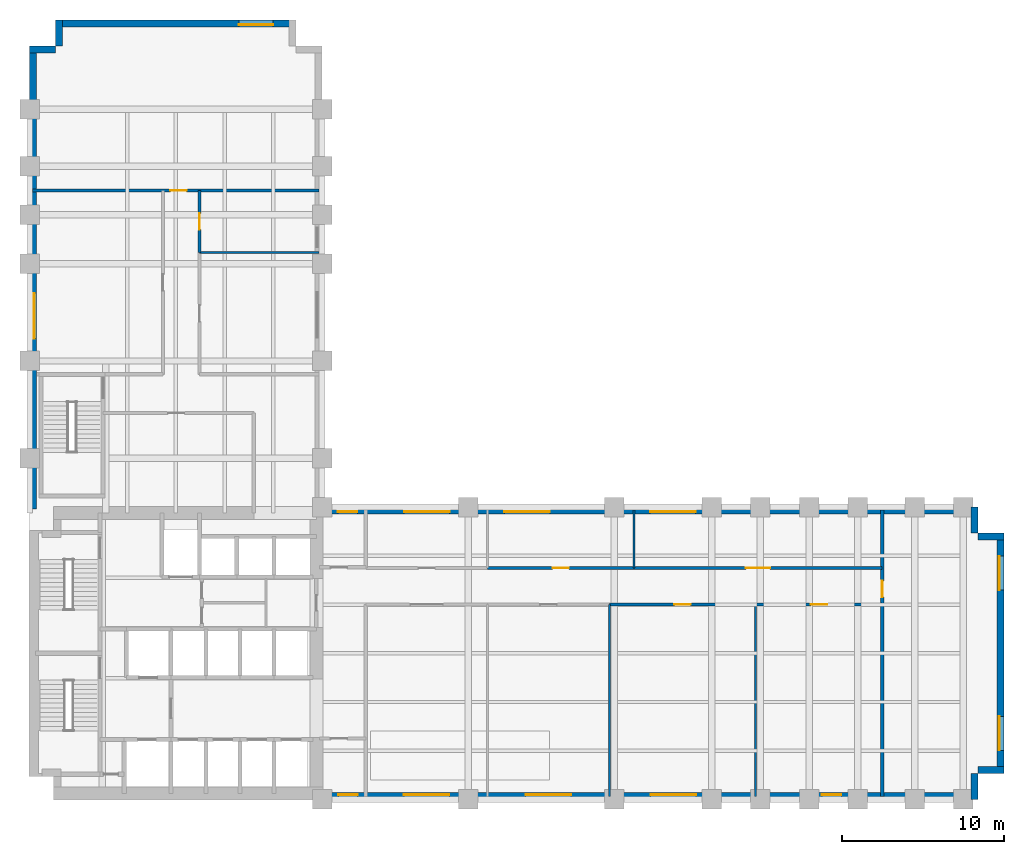
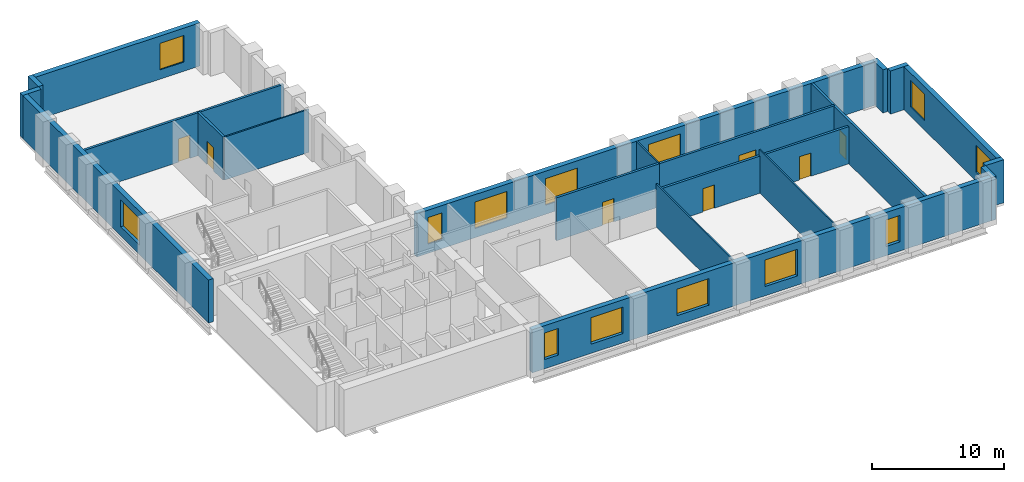
# One storey, part 5 of 7: 22 walls, 13 windows, 7 doors, 20 openings.
"""IFC4 building model written with IfcOpenShell, lengths in metres."""

from ifc_helpers import new_model, si_unit, direction, frame, frame_2d, origin, place, context, subcontext, project, spatial, rectangle, extrude, material, layer, layer_set, type_object, element, fill, save


model = new_model("IFC4")

# Units and contexts
model_context = context("Model", 3, precision=1e-05, world=origin(), true_north=direction((0.0, 1.0)))
body_context = subcontext(model_context, "Body", "Model", "MODEL_VIEW")
ifc_project = project(units=[si_unit("LENGTHUNIT", "METRE"), si_unit("AREAUNIT", "SQUARE_METRE"), si_unit("VOLUMEUNIT", "CUBIC_METRE"), si_unit("PLANEANGLEUNIT", "RADIAN"), si_unit("MASSUNIT", "GRAM", prefix="KILO")], contexts=[model_context])

# Site, building, storey
site_placement = place(None, origin())
site = spatial("IfcSite", under=ifc_project, at=site_placement, CompositionType="ELEMENT")
building_placement = place(site_placement, origin())
building = spatial("IfcBuilding", under=site, at=building_placement, Name="Mawjdan Bourse Tower", CompositionType="ELEMENT")
storey_placement = place(building_placement, frame((0.0, 0.0, 67.800048828125)))
storey = spatial("IfcBuildingStorey", under=building, at=storey_placement, Name="L15", CompositionType="ELEMENT", Elevation=67.800048828125)

# Wall, openings, windows
ifc_material_1 = material(Name="Brick Masonry Buff", Category="masonry")
ifc_layer_1 = layer(ifc_material_1, 0.419921875)
ifc_layer_set_1 = layer_set([ifc_layer_1], Name="Brick Masonry Buff")
wall_type_1 = type_object("IfcWallType", Name="WL-BRK-BUFF-420", PredefinedType="STANDARD", material=ifc_layer_set_1)
wall_1_placement = place(storey_placement, frame((23.89990234375, 3.2099609375, 0.0), z_axis=(0.0, 0.0, 1.0), x_axis=(1.0, 0.0, 0.0)))
wall_1 = element("IfcWall", 1, at=wall_1_placement, inside=storey, type_object=wall_type_1, Name="L15 Exterior Brick Wall 1", PredefinedType="STANDARD", context=body_context, shape_type="SweptSolid", body=[
    extrude(rectangle(XDim=40.5, YDim=0.419921875, at=frame_2d((20.25, 0.0))), origin(), (0.0, 0.0, 1.0), 3.97998046875),
])
opening_1_placement = place(wall_1_placement, frame((1.10009765625, 0.0, 0.85009765625)))
opening_1 = element("IfcOpeningElement", 2, at=opening_1_placement, cuts=wall_1, Name="Opening W-L15-07", PredefinedType="OPENING", context=body_context, shape_type="SweptSolid", body=[
    extrude(rectangle(XDim=1.199951171875, YDim=2.449951171875, at=frame_2d((0.60009765625, 1.22509765625))), frame((0.0, 0.219970703125, 0.0), z_axis=(0.0, -1.0, 0.0), x_axis=(1.0, 0.0, 0.0)), (0.0, 0.0, 1.0), 0.43994140625),
])
opening_2_placement = place(wall_1_placement, frame((5.13623046875, 0.0, 0.85009765625)))
opening_2 = element("IfcOpeningElement", 3, at=opening_2_placement, cuts=wall_1, Name="Opening W-L15-09", PredefinedType="OPENING", context=body_context, shape_type="SweptSolid", body=[
    extrude(rectangle(XDim=2.800048828125, YDim=2.449951171875, at=frame_2d((1.39990234375, 1.22509765625))), frame((0.0, 0.219970703125, 0.0), z_axis=(0.0, -1.0, 0.0), x_axis=(1.0, 0.0, 0.0)), (0.0, 0.0, 1.0), 0.43994140625),
])
opening_3_placement = place(wall_1_placement, frame((12.63623046875, 0.0, 0.85009765625)))
opening_3 = element("IfcOpeningElement", 4, at=opening_3_placement, cuts=wall_1, Name="Opening W-L15-10", PredefinedType="OPENING", context=body_context, shape_type="SweptSolid", body=[
    extrude(rectangle(XDim=2.800048828125, YDim=2.449951171875, at=frame_2d((1.39990234375, 1.22509765625))), frame((0.0, 0.219970703125, 0.0), z_axis=(0.0, -1.0, 0.0), x_axis=(1.0, 0.0, 0.0)), (0.0, 0.0, 1.0), 0.43994140625),
])
opening_4_placement = place(wall_1_placement, frame((20.336181640625, 0.0, 0.85009765625)))
opening_4 = element("IfcOpeningElement", 5, at=opening_4_placement, cuts=wall_1, Name="Opening W-L15-11", PredefinedType="OPENING", context=body_context, shape_type="SweptSolid", body=[
    extrude(rectangle(XDim=2.800048828125, YDim=2.449951171875, at=frame_2d((1.39990234375, 1.22509765625))), frame((0.0, 0.219970703125, 0.0), z_axis=(0.0, -1.0, 0.0), x_axis=(1.0, 0.0, 0.0)), (0.0, 0.0, 1.0), 0.43994140625),
])
opening_5_placement = place(wall_1_placement, frame((30.88623046875, 0.0, 0.85009765625)))
opening_5 = element("IfcOpeningElement", 6, at=opening_5_placement, cuts=wall_1, Name="Opening W-L15-12", PredefinedType="OPENING", context=body_context, shape_type="SweptSolid", body=[
    extrude(rectangle(XDim=1.199951171875, YDim=2.449951171875, at=frame_2d((0.60009765625, 1.22509765625))), frame((0.0, 0.219970703125, 0.0), z_axis=(0.0, -1.0, 0.0), x_axis=(1.0, 0.0, 0.0)), (0.0, 0.0, 1.0), 0.43994140625),
])
ifc_material_2 = material(Name="Solar-Control Clear Double Glazing", Category="glass")
window_type_1 = type_object("IfcWindowType", Name="WN-TRD-1200", PartitioningType="SINGLE_PANEL", PredefinedType="WINDOW", material=ifc_material_2)
window_1_placement = place(opening_1_placement, origin())
window_1 = element("IfcWindow", 7, at=window_1_placement, inside=storey, type_object=window_type_1, Name="L15 Deep-Set Masonry Window W-L15-07", OverallHeight=2.449951171875, OverallWidth=1.199951171875, PartitioningType="SINGLE_PANEL", PredefinedType="WINDOW", context=body_context, shape_type="SweptSolid", body=[
    extrude(rectangle(XDim=1.199951171875, YDim=2.449951171875, at=frame_2d((0.60009765625, 1.22509765625))), frame((0.0, 0.110107421875, 0.0), z_axis=(0.0, -1.0, 0.0), x_axis=(1.0, 0.0, 0.0)), (0.0, 0.0, 1.0), 0.06005859375),
])
fill(opening_1, window_1)
window_2_placement = place(opening_5_placement, origin())
window_2 = element("IfcWindow", 8, at=window_2_placement, inside=storey, type_object=window_type_1, Name="L15 Deep-Set Masonry Window W-L15-12", OverallHeight=2.449951171875, OverallWidth=1.199951171875, PartitioningType="SINGLE_PANEL", PredefinedType="WINDOW", context=body_context, shape_type="SweptSolid", body=[
    extrude(rectangle(XDim=1.199951171875, YDim=2.449951171875, at=frame_2d((0.60009765625, 1.22509765625))), frame((0.0, 0.110107421875, 0.0), z_axis=(0.0, -1.0, 0.0), x_axis=(1.0, 0.0, 0.0)), (0.0, 0.0, 1.0), 0.06005859375),
])
fill(opening_5, window_2)
window_type_2 = type_object("IfcWindowType", Name="WN-TRD-2800", PartitioningType="SINGLE_PANEL", PredefinedType="WINDOW", material=ifc_material_2)
window_3_placement = place(opening_2_placement, origin())
window_3 = element("IfcWindow", 9, at=window_3_placement, inside=storey, type_object=window_type_2, Name="L15 Deep-Set Masonry Window W-L15-09", OverallHeight=2.449951171875, OverallWidth=2.800048828125, PartitioningType="SINGLE_PANEL", PredefinedType="WINDOW", context=body_context, shape_type="SweptSolid", body=[
    extrude(rectangle(XDim=2.800048828125, YDim=2.449951171875, at=frame_2d((1.39990234375, 1.22509765625))), frame((0.0, 0.110107421875, 0.0), z_axis=(0.0, -1.0, 0.0), x_axis=(1.0, 0.0, 0.0)), (0.0, 0.0, 1.0), 0.06005859375),
])
fill(opening_2, window_3)
window_4_placement = place(opening_3_placement, origin())
window_4 = element("IfcWindow", 10, at=window_4_placement, inside=storey, type_object=window_type_2, Name="L15 Deep-Set Masonry Window W-L15-10", OverallHeight=2.449951171875, OverallWidth=2.800048828125, PartitioningType="SINGLE_PANEL", PredefinedType="WINDOW", context=body_context, shape_type="SweptSolid", body=[
    extrude(rectangle(XDim=2.800048828125, YDim=2.449951171875, at=frame_2d((1.39990234375, 1.22509765625))), frame((0.0, 0.110107421875, 0.0), z_axis=(0.0, -1.0, 0.0), x_axis=(1.0, 0.0, 0.0)), (0.0, 0.0, 1.0), 0.06005859375),
])
fill(opening_3, window_4)
window_5_placement = place(opening_4_placement, origin())
window_5 = element("IfcWindow", 11, at=window_5_placement, inside=storey, type_object=window_type_2, Name="L15 Deep-Set Masonry Window W-L15-11", OverallHeight=2.449951171875, OverallWidth=2.800048828125, PartitioningType="SINGLE_PANEL", PredefinedType="WINDOW", context=body_context, shape_type="SweptSolid", body=[
    extrude(rectangle(XDim=2.800048828125, YDim=2.449951171875, at=frame_2d((1.39990234375, 1.22509765625))), frame((0.0, 0.110107421875, 0.0), z_axis=(0.0, -1.0, 0.0), x_axis=(1.0, 0.0, 0.0)), (0.0, 0.0, 1.0), 0.06005859375),
])
fill(opening_4, window_5)

# Walls
for number, where, z_axis, x_axis, name in (
    (12, (64.18994140625, 3.0, 0.0), (0.0, 0.0, 1.0), (0.0, 1.0, 0.0), "L15 Exterior Brick Wall 2"),
    (13, (64.39990234375, 4.81005859375, 0.0), (0.0, 0.0, 1.0), (1.0, 0.0, 0.0), "L15 Exterior Brick Wall 3"),
):
    element("IfcWall", number, at=place(storey_placement, frame(where, z_axis=z_axis, x_axis=x_axis)), inside=storey, type_object=wall_type_1, Name=name, PredefinedType="STANDARD", context=body_context, shape_type="SweptSolid", body=[
        extrude(rectangle(XDim=1.60009765625, YDim=0.419921875, at=frame_2d((0.800048828125, 0.0))), origin(), (0.0, 0.0, 1.0), 3.97998046875),
    ])

# Wall, openings, windows
wall_2_placement = place(storey_placement, frame((65.7900390625, 4.60009765625, 0.0), z_axis=(0.0, 0.0, 1.0), x_axis=(0.0, 1.0, 0.0)))
wall_2 = element("IfcWall", 14, at=wall_2_placement, inside=storey, type_object=wall_type_1, Name="L15 Exterior Brick Wall 4", PredefinedType="STANDARD", context=body_context, shape_type="SweptSolid", body=[
    extrude(rectangle(XDim=14.7998046875, YDim=0.419921875, at=frame_2d((7.39990234375, 0.0))), origin(), (0.0, 0.0, 1.0), 3.97998046875),
])
opening_6_placement = place(wall_2_placement, frame((1.416748046875, 0.0, 0.85009765625)))
opening_6 = element("IfcOpeningElement", 15, at=opening_6_placement, cuts=wall_2, Name="Opening W-L15-01", PredefinedType="OPENING", context=body_context, shape_type="SweptSolid", body=[
    extrude(rectangle(XDim=2.10009765625, YDim=2.449951171875, at=frame_2d((1.050048828125, 1.22509765625))), frame((0.0, 0.219970703125, 0.0), z_axis=(0.0, -1.0, 0.0), x_axis=(1.0, 0.0, 0.0)), (0.0, 0.0, 1.0), 0.43994140625),
])
opening_7_placement = place(wall_2_placement, frame((11.283203125, 0.0, 0.85009765625)))
opening_7 = element("IfcOpeningElement", 16, at=opening_7_placement, cuts=wall_2, Name="Opening W-L15-02", PredefinedType="OPENING", context=body_context, shape_type="SweptSolid", body=[
    extrude(rectangle(XDim=2.10009765625, YDim=2.449951171875, at=frame_2d((1.050048828125, 1.22509765625))), frame((0.0, 0.219970703125, 0.0), z_axis=(0.0, -1.0, 0.0), x_axis=(1.0, 0.0, 0.0)), (0.0, 0.0, 1.0), 0.43994140625),
])
window_type_3 = type_object("IfcWindowType", Name="WN-TRD-2100", PartitioningType="SINGLE_PANEL", PredefinedType="WINDOW", material=ifc_material_2)
window_6_placement = place(opening_6_placement, origin())
window_6 = element("IfcWindow", 17, at=window_6_placement, inside=storey, type_object=window_type_3, Name="L15 Deep-Set Masonry Window W-L15-01", OverallHeight=2.449951171875, OverallWidth=2.10009765625, PartitioningType="SINGLE_PANEL", PredefinedType="WINDOW", context=body_context, shape_type="SweptSolid", body=[
    extrude(rectangle(XDim=2.10009765625, YDim=2.449951171875, at=frame_2d((1.050048828125, 1.22509765625))), frame((0.0, 0.110107421875, 0.0), z_axis=(0.0, -1.0, 0.0), x_axis=(1.0, 0.0, 0.0)), (0.0, 0.0, 1.0), 0.06005859375),
])
fill(opening_6, window_6)
window_7_placement = place(opening_7_placement, origin())
window_7 = element("IfcWindow", 18, at=window_7_placement, inside=storey, type_object=window_type_3, Name="L15 Deep-Set Masonry Window W-L15-02", OverallHeight=2.449951171875, OverallWidth=2.10009765625, PartitioningType="SINGLE_PANEL", PredefinedType="WINDOW", context=body_context, shape_type="SweptSolid", body=[
    extrude(rectangle(XDim=2.10009765625, YDim=2.449951171875, at=frame_2d((1.050048828125, 1.22509765625))), frame((0.0, 0.110107421875, 0.0), z_axis=(0.0, -1.0, 0.0), x_axis=(1.0, 0.0, 0.0)), (0.0, 0.0, 1.0), 0.06005859375),
])
fill(opening_7, window_7)

# Walls
for number, where, z_axis, x_axis, name in (
    (19, (66.0, 19.18994140625, 0.0), (0.0, 0.0, 1.0), (-1.0, 0.0, 0.0), "L15 Exterior Brick Wall 5"),
    (20, (64.18994140625, 19.39990234375, 0.0), (0.0, 0.0, 1.0), (0.0, 1.0, 0.0), "L15 Exterior Brick Wall 6"),
):
    element("IfcWall", number, at=place(storey_placement, frame(where, z_axis=z_axis, x_axis=x_axis)), inside=storey, type_object=wall_type_1, Name=name, PredefinedType="STANDARD", context=body_context, shape_type="SweptSolid", body=[
        extrude(rectangle(XDim=1.60009765625, YDim=0.419921875, at=frame_2d((0.800048828125, 0.0))), origin(), (0.0, 0.0, 1.0), 3.97998046875),
    ])

# Wall, openings, windows
wall_3_placement = place(storey_placement, frame((64.39990234375, 20.7900390625, 0.0), z_axis=(0.0, 0.0, 1.0), x_axis=(-1.0, 0.0, 0.0)))
wall_3 = element("IfcWall", 21, at=wall_3_placement, inside=storey, type_object=wall_type_1, Name="L15 Exterior Brick Wall 7", PredefinedType="STANDARD", context=body_context, shape_type="SweptSolid", body=[
    extrude(rectangle(XDim=40.39990234375, YDim=0.419921875, at=frame_2d((20.199951171875, 0.0))), origin(), (0.0, 0.0, 1.0), 3.97998046875),
])
opening_8_placement = place(wall_3_placement, frame((26.375, 0.0, 0.85009765625)))
opening_8 = element("IfcOpeningElement", 22, at=opening_8_placement, cuts=wall_3, Name="Opening W-L15-03", PredefinedType="OPENING", context=body_context, shape_type="SweptSolid", body=[
    extrude(rectangle(XDim=2.800048828125, YDim=2.449951171875, at=frame_2d((1.39990234375, 1.22509765625))), frame((0.0, 0.219970703125, 0.0), z_axis=(0.0, -1.0, 0.0), x_axis=(1.0, 0.0, 0.0)), (0.0, 0.0, 1.0), 0.43994140625),
])
opening_9_placement = place(wall_3_placement, frame((38.22216796875, 0.0, 0.85009765625)))
opening_9 = element("IfcOpeningElement", 23, at=opening_9_placement, cuts=wall_3, Name="Opening W-L15-08", PredefinedType="OPENING", context=body_context, shape_type="SweptSolid", body=[
    extrude(rectangle(XDim=1.199951171875, YDim=2.449951171875, at=frame_2d((0.60009765625, 1.22509765625))), frame((0.0, 0.219970703125, 0.0), z_axis=(0.0, -1.0, 0.0), x_axis=(1.0, 0.0, 0.0)), (0.0, 0.0, 1.0), 0.43994140625),
])
opening_10_placement = place(wall_3_placement, frame((32.5361328125, 0.0, 0.85009765625)))
opening_10 = element("IfcOpeningElement", 24, at=opening_10_placement, cuts=wall_3, Name="Opening W-L15-13", PredefinedType="OPENING", context=body_context, shape_type="SweptSolid", body=[
    extrude(rectangle(XDim=2.800048828125, YDim=2.449951171875, at=frame_2d((1.39990234375, 1.22509765625))), frame((0.0, 0.219970703125, 0.0), z_axis=(0.0, -1.0, 0.0), x_axis=(1.0, 0.0, 0.0)), (0.0, 0.0, 1.0), 0.43994140625),
])
opening_11_placement = place(wall_3_placement, frame((17.38623046875, 0.0, 0.85009765625)))
opening_11 = element("IfcOpeningElement", 25, at=opening_11_placement, cuts=wall_3, Name="Opening W-L15-14", PredefinedType="OPENING", context=body_context, shape_type="SweptSolid", body=[
    extrude(rectangle(XDim=2.800048828125, YDim=2.449951171875, at=frame_2d((1.39990234375, 1.22509765625))), frame((0.0, 0.219970703125, 0.0), z_axis=(0.0, -1.0, 0.0), x_axis=(1.0, 0.0, 0.0)), (0.0, 0.0, 1.0), 0.43994140625),
])
window_8_placement = place(opening_9_placement, origin())
window_8 = element("IfcWindow", 26, at=window_8_placement, inside=storey, type_object=window_type_1, Name="L15 Deep-Set Masonry Window W-L15-08", OverallHeight=2.449951171875, OverallWidth=1.199951171875, PartitioningType="SINGLE_PANEL", PredefinedType="WINDOW", context=body_context, shape_type="SweptSolid", body=[
    extrude(rectangle(XDim=1.199951171875, YDim=2.449951171875, at=frame_2d((0.60009765625, 1.22509765625))), frame((0.0, 0.110107421875, 0.0), z_axis=(0.0, -1.0, 0.0), x_axis=(1.0, 0.0, 0.0)), (0.0, 0.0, 1.0), 0.06005859375),
])
fill(opening_9, window_8)
window_9_placement = place(opening_8_placement, origin())
window_9 = element("IfcWindow", 27, at=window_9_placement, inside=storey, type_object=window_type_2, Name="L15 Deep-Set Masonry Window W-L15-03", OverallHeight=2.449951171875, OverallWidth=2.800048828125, PartitioningType="SINGLE_PANEL", PredefinedType="WINDOW", context=body_context, shape_type="SweptSolid", body=[
    extrude(rectangle(XDim=2.800048828125, YDim=2.449951171875, at=frame_2d((1.39990234375, 1.22509765625))), frame((0.0, 0.110107421875, 0.0), z_axis=(0.0, -1.0, 0.0), x_axis=(1.0, 0.0, 0.0)), (0.0, 0.0, 1.0), 0.06005859375),
])
fill(opening_8, window_9)
window_10_placement = place(opening_10_placement, origin())
window_10 = element("IfcWindow", 28, at=window_10_placement, inside=storey, type_object=window_type_2, Name="L15 Deep-Set Masonry Window W-L15-13", OverallHeight=2.449951171875, OverallWidth=2.800048828125, PartitioningType="SINGLE_PANEL", PredefinedType="WINDOW", context=body_context, shape_type="SweptSolid", body=[
    extrude(rectangle(XDim=2.800048828125, YDim=2.449951171875, at=frame_2d((1.39990234375, 1.22509765625))), frame((0.0, 0.110107421875, 0.0), z_axis=(0.0, -1.0, 0.0), x_axis=(1.0, 0.0, 0.0)), (0.0, 0.0, 1.0), 0.06005859375),
])
fill(opening_10, window_10)
window_11_placement = place(opening_11_placement, origin())
window_11 = element("IfcWindow", 29, at=window_11_placement, inside=storey, type_object=window_type_2, Name="L15 Deep-Set Masonry Window W-L15-14", OverallHeight=2.449951171875, OverallWidth=2.800048828125, PartitioningType="SINGLE_PANEL", PredefinedType="WINDOW", context=body_context, shape_type="SweptSolid", body=[
    extrude(rectangle(XDim=2.800048828125, YDim=2.449951171875, at=frame_2d((1.39990234375, 1.22509765625))), frame((0.0, 0.110107421875, 0.0), z_axis=(0.0, -1.0, 0.0), x_axis=(1.0, 0.0, 0.0)), (0.0, 0.0, 1.0), 0.06005859375),
])
fill(opening_11, window_11)

# Wall, opening, window
wall_4_placement = place(storey_placement, frame((22.39990234375, 50.7900390625, 0.0), z_axis=(0.0, 0.0, 1.0), x_axis=(-1.0, 0.0, 0.0)))
wall_4 = element("IfcWall", 30, at=wall_4_placement, inside=storey, type_object=wall_type_1, Name="L15 Exterior Brick Wall 11", PredefinedType="STANDARD", context=body_context, shape_type="SweptSolid", body=[
    extrude(rectangle(XDim=14.7998046875, YDim=0.419921875, at=frame_2d((7.39990234375, 0.0))), origin(), (0.0, 0.0, 1.0), 3.97998046875),
])
opening_12_placement = place(wall_4_placement, frame((1.416748046875, 0.0, 0.85009765625)))
opening_12 = element("IfcOpeningElement", 31, at=opening_12_placement, cuts=wall_4, Name="Opening W-L15-05", PredefinedType="OPENING", context=body_context, shape_type="SweptSolid", body=[
    extrude(rectangle(XDim=2.10009765625, YDim=2.449951171875, at=frame_2d((1.050048828125, 1.22509765625))), frame((0.0, 0.219970703125, 0.0), z_axis=(0.0, -1.0, 0.0), x_axis=(1.0, 0.0, 0.0)), (0.0, 0.0, 1.0), 0.43994140625),
])
window_12_placement = place(opening_12_placement, origin())
window_12 = element("IfcWindow", 32, at=window_12_placement, inside=storey, type_object=window_type_3, Name="L15 Deep-Set Masonry Window W-L15-05", OverallHeight=2.449951171875, OverallWidth=2.10009765625, PartitioningType="SINGLE_PANEL", PredefinedType="WINDOW", context=body_context, shape_type="SweptSolid", body=[
    extrude(rectangle(XDim=2.10009765625, YDim=2.449951171875, at=frame_2d((1.050048828125, 1.22509765625))), frame((0.0, 0.110107421875, 0.0), z_axis=(0.0, -1.0, 0.0), x_axis=(1.0, 0.0, 0.0)), (0.0, 0.0, 1.0), 0.06005859375),
])
fill(opening_12, window_12)

# Walls
for number, where, z_axis, x_axis, name in (
    (33, (7.81005859375, 51.0, 0.0), (0.0, 0.0, 1.0), (0.0, -1.0, 0.0), "L15 Exterior Brick Wall 12"),
    (34, (7.60009765625, 49.18994140625, 0.0), (0.0, 0.0, 1.0), (-1.0, 0.0, 0.0), "L15 Exterior Brick Wall 13"),
):
    element("IfcWall", number, at=place(storey_placement, frame(where, z_axis=z_axis, x_axis=x_axis)), inside=storey, type_object=wall_type_1, Name=name, PredefinedType="STANDARD", context=body_context, shape_type="SweptSolid", body=[
        extrude(rectangle(XDim=1.60009765625, YDim=0.419921875, at=frame_2d((0.800048828125, 0.0))), origin(), (0.0, 0.0, 1.0), 3.97998046875),
    ])

# Wall, opening, window
wall_5_placement = place(storey_placement, frame((6.2099609375, 49.39990234375, 0.0), z_axis=(0.0, 0.0, 1.0), x_axis=(0.0, -1.0, 0.0)))
wall_5 = element("IfcWall", 35, at=wall_5_placement, inside=storey, type_object=wall_type_1, Name="L15 Exterior Brick Wall 14", PredefinedType="STANDARD", context=body_context, shape_type="SweptSolid", body=[
    extrude(rectangle(XDim=28.5, YDim=0.419921875, at=frame_2d((14.25, 0.0))), origin(), (0.0, 0.0, 1.0), 3.97998046875),
])
opening_13_placement = place(wall_5_placement, frame((15.22509765625, 0.0, 0.85009765625)))
opening_13 = element("IfcOpeningElement", 36, at=opening_13_placement, cuts=wall_5, Name="Opening W-L15-06", PredefinedType="OPENING", context=body_context, shape_type="SweptSolid", body=[
    extrude(rectangle(XDim=2.800048828125, YDim=2.449951171875, at=frame_2d((1.39990234375, 1.22509765625))), frame((0.0, 0.219970703125, 0.0), z_axis=(0.0, -1.0, 0.0), x_axis=(1.0, 0.0, 0.0)), (0.0, 0.0, 1.0), 0.43994140625),
])
window_13_placement = place(opening_13_placement, origin())
window_13 = element("IfcWindow", 37, at=window_13_placement, inside=storey, type_object=window_type_2, Name="L15 Deep-Set Masonry Window W-L15-06", OverallHeight=2.449951171875, OverallWidth=2.800048828125, PartitioningType="SINGLE_PANEL", PredefinedType="WINDOW", context=body_context, shape_type="SweptSolid", body=[
    extrude(rectangle(XDim=2.800048828125, YDim=2.449951171875, at=frame_2d((1.39990234375, 1.22509765625))), frame((0.0, 0.110107421875, 0.0), z_axis=(0.0, -1.0, 0.0), x_axis=(1.0, 0.0, 0.0)), (0.0, 0.0, 1.0), 0.06005859375),
])
fill(opening_13, window_13)

# Wall, opening, door
ifc_material_3 = material(Name="Gypsum Fireboard Assembly")
ifc_layer_2 = layer(ifc_material_3, 0.199951171875)
ifc_layer_set_2 = layer_set([ifc_layer_2], Name="Gypsum Fireboard Assembly")
wall_type_2 = type_object("IfcWallType", Name="WL-CMP-200", PredefinedType="PARTITIONING", material=ifc_layer_set_2)
wall_6_placement = place(storey_placement, frame((41.699951171875, 15.0, 0.0), z_axis=(0.0, 0.0, 1.0), x_axis=(1.0, 0.0, 0.0)))
wall_6 = element("IfcWall", 38, at=wall_6_placement, inside=storey, type_object=wall_type_2, Name="L15 Executive Office Corridor Wall", PredefinedType="PARTITIONING", context=body_context, shape_type="SweptSolid", body=[
    extrude(rectangle(XDim=9.0, YDim=0.199951171875, at=frame_2d((4.5, 0.0))), origin(), (0.0, 0.0, 1.0), 3.426025390625),
])
opening_14_placement = place(wall_6_placement, frame((4.0, 0.0, 0.0)))
opening_14 = element("IfcOpeningElement", 39, at=opening_14_placement, cuts=wall_6, Name="Opening D-L15-22", PredefinedType="OPENING", context=body_context, shape_type="SweptSolid", body=[
    extrude(rectangle(XDim=1.0, YDim=2.14990234375, at=frame_2d((0.5, 1.074951171875))), frame((0.0, 0.10986328125, 0.0), z_axis=(0.0, -1.0, 0.0), x_axis=(1.0, 0.0, 0.0)), (0.0, 0.0, 1.0), 0.219970703125),
])
ifc_material_4 = material(Name="Hardwood Acoustic Leaf", Category="wood")
door_type_1 = type_object("IfcDoorType", Name="DR-OFC-1000", OperationType="NOTDEFINED", PredefinedType="DOOR", material=ifc_material_4)
door_1_placement = place(opening_14_placement, origin())
door_1 = element("IfcDoor", 40, at=door_1_placement, inside=storey, type_object=door_type_1, Name="L15 Executive Office Door D-L15-22", OperationType="SINGLE_SWING_LEFT", OverallHeight=2.14990234375, OverallWidth=1.0, PredefinedType="DOOR", context=body_context, shape_type="SweptSolid", body=[
    extrude(rectangle(XDim=1.0, YDim=2.14990234375, at=frame_2d((0.5, 1.074951171875))), frame((0.0, 0.02490234375, 0.0), z_axis=(0.0, -1.0, 0.0), x_axis=(1.0, 0.0, 0.0)), (0.0, 0.0, 1.0), 0.050048828125),
])
fill(opening_14, door_1)

wall_7_placement = place(storey_placement, frame((50.699951171875, 15.0, 0.0), z_axis=(0.0, 0.0, 1.0), x_axis=(1.0, 0.0, 0.0)))
wall_7 = element("IfcWall", 41, at=wall_7_placement, inside=storey, type_object=wall_type_2, Name="L15 Training Seminar Room Corridor Wall", PredefinedType="PARTITIONING", context=body_context, shape_type="SweptSolid", body=[
    extrude(rectangle(XDim=7.800048828125, YDim=0.199951171875, at=frame_2d((3.89990234375, 0.0))), origin(), (0.0, 0.0, 1.0), 3.426025390625),
])
opening_15_placement = place(wall_7_placement, frame((3.39990234375, 0.0, 0.0)))
opening_15 = element("IfcOpeningElement", 42, at=opening_15_placement, cuts=wall_7, Name="Opening D-L15-23", PredefinedType="OPENING", context=body_context, shape_type="SweptSolid", body=[
    extrude(rectangle(XDim=1.0, YDim=2.14990234375, at=frame_2d((0.5, 1.074951171875))), frame((0.0, 0.10986328125, 0.0), z_axis=(0.0, -1.0, 0.0), x_axis=(1.0, 0.0, 0.0)), (0.0, 0.0, 1.0), 0.219970703125),
])
door_2_placement = place(opening_15_placement, origin())
door_2 = element("IfcDoor", 43, at=door_2_placement, inside=storey, type_object=door_type_1, Name="L15 Training Seminar Room Door D-L15-23", OperationType="SINGLE_SWING_RIGHT", OverallHeight=2.14990234375, OverallWidth=1.0, PredefinedType="DOOR", context=body_context, shape_type="SweptSolid", body=[
    extrude(rectangle(XDim=1.0, YDim=2.14990234375, at=frame_2d((0.5, 1.074951171875))), frame((0.0, 0.02490234375, 0.0), z_axis=(0.0, -1.0, 0.0), x_axis=(1.0, 0.0, 0.0)), (0.0, 0.0, 1.0), 0.050048828125),
])
fill(opening_15, door_2)

wall_8_placement = place(storey_placement, frame((34.199951171875, 17.25, 0.0), z_axis=(0.0, 0.0, 1.0), x_axis=(1.0, 0.0, 0.0)))
wall_8 = element("IfcWall", 44, at=wall_8_placement, inside=storey, type_object=wall_type_2, Name="L15 Training Seminar Room Corridor Wall", PredefinedType="PARTITIONING", context=body_context, shape_type="SweptSolid", body=[
    extrude(rectangle(XDim=9.0, YDim=0.199951171875, at=frame_2d((4.5, 0.0))), origin(), (0.0, 0.0, 1.0), 3.969970703125),
])
opening_16_placement = place(wall_8_placement, frame((4.0, 0.0, 0.0)))
opening_16 = element("IfcOpeningElement", 45, at=opening_16_placement, cuts=wall_8, Name="Opening D-L15-25", PredefinedType="OPENING", context=body_context, shape_type="SweptSolid", body=[
    extrude(rectangle(XDim=1.0, YDim=2.14990234375, at=frame_2d((0.5, 1.074951171875))), frame((0.0, 0.10986328125, 0.0), z_axis=(0.0, -1.0, 0.0), x_axis=(1.0, 0.0, 0.0)), (0.0, 0.0, 1.0), 0.219970703125),
])
door_3_placement = place(opening_16_placement, origin())
door_3 = element("IfcDoor", 46, at=door_3_placement, inside=storey, type_object=door_type_1, Name="L15 Training Seminar Room Door D-L15-25", OperationType="SINGLE_SWING_RIGHT", OverallHeight=2.14990234375, OverallWidth=1.0, PredefinedType="DOOR", context=body_context, shape_type="SweptSolid", body=[
    extrude(rectangle(XDim=1.0, YDim=2.14990234375, at=frame_2d((0.5, 1.074951171875))), frame((0.0, 0.02490234375, 0.0), z_axis=(0.0, -1.0, 0.0), x_axis=(1.0, 0.0, 0.0)), (0.0, 0.0, 1.0), 0.050048828125),
])
fill(opening_16, door_3)

wall_9_placement = place(storey_placement, frame((43.199951171875, 17.25, 0.0), z_axis=(0.0, 0.0, 1.0), x_axis=(1.0, 0.0, 0.0)))
wall_9 = element("IfcWall", 47, at=wall_9_placement, inside=storey, type_object=wall_type_2, Name="L15 Conference Room Corridor Wall", PredefinedType="PARTITIONING", context=body_context, shape_type="SweptSolid", body=[
    extrude(rectangle(XDim=15.300048828125, YDim=0.199951171875, at=frame_2d((7.64990234375, 0.0))), origin(), (0.0, 0.0, 1.0), 3.969970703125),
])
opening_17_placement = place(wall_9_placement, frame((6.89990234375, 0.0, 0.0)))
opening_17 = element("IfcOpeningElement", 48, at=opening_17_placement, cuts=wall_9, Name="Opening D-L15-26", PredefinedType="OPENING", context=body_context, shape_type="SweptSolid", body=[
    extrude(rectangle(XDim=1.5, YDim=2.300048828125, at=frame_2d((0.75, 1.14990234375))), frame((0.0, 0.10986328125, 0.0), z_axis=(0.0, -1.0, 0.0), x_axis=(1.0, 0.0, 0.0)), (0.0, 0.0, 1.0), 0.219970703125),
])
ifc_material_5 = material(Name="Acoustic Glazed Timber", Category="wood")
door_type_2 = type_object("IfcDoorType", Name="DR-CNF-1500", OperationType="DOUBLE_DOOR_SINGLE_SWING", PredefinedType="DOOR", material=ifc_material_5)
door_4_placement = place(opening_17_placement, origin())
door_4 = element("IfcDoor", 49, at=door_4_placement, inside=storey, type_object=door_type_2, Name="L15 Conference Room Door D-L15-26", OperationType="DOUBLE_DOOR_SINGLE_SWING", OverallHeight=2.300048828125, OverallWidth=1.5, PredefinedType="DOOR", context=body_context, shape_type="SweptSolid", body=[
    extrude(rectangle(XDim=1.5, YDim=2.300048828125, at=frame_2d((0.75, 1.14990234375))), frame((0.0, 0.02490234375, 0.0), z_axis=(0.0, -1.0, 0.0), x_axis=(1.0, 0.0, 0.0)), (0.0, 0.0, 1.0), 0.050048828125),
])
fill(opening_17, door_4)

wall_10_placement = place(storey_placement, frame((58.5, 3.179931640625, 0.0), z_axis=(0.0, 0.0, 1.0), x_axis=(0.0, 1.0, 0.0)))
wall_10 = element("IfcWall", 50, at=wall_10_placement, inside=storey, type_object=wall_type_2, Name="L15 East Tip Full Cross Wall", PredefinedType="PARTITIONING", context=body_context, shape_type="SweptSolid", body=[
    extrude(rectangle(XDim=17.64013671875, YDim=0.199951171875, at=frame_2d((8.820068359375, 0.0))), origin(), (0.0, 0.0, 1.0), 3.969970703125),
])
opening_18_placement = place(wall_10_placement, frame((12.27490234375, 0.0, 0.0)))
opening_18 = element("IfcOpeningElement", 51, at=opening_18_placement, cuts=wall_10, Name="Opening D-L15-27", PredefinedType="OPENING", context=body_context, shape_type="SweptSolid", body=[
    extrude(rectangle(XDim=1.0, YDim=2.14990234375, at=frame_2d((0.5, 1.074951171875))), frame((0.0, 0.10986328125, 0.0), z_axis=(0.0, -1.0, 0.0), x_axis=(1.0, 0.0, 0.0)), (0.0, 0.0, 1.0), 0.219970703125),
])
door_5_placement = place(opening_18_placement, origin())
door_5 = element("IfcDoor", 52, at=door_5_placement, inside=storey, type_object=door_type_1, Name="L15 East Tip Hall Door D-L15-27", OperationType="SINGLE_SWING_LEFT", OverallHeight=2.14990234375, OverallWidth=1.0, PredefinedType="DOOR", context=body_context, shape_type="SweptSolid", body=[
    extrude(rectangle(XDim=1.0, YDim=2.14990234375, at=frame_2d((0.5, 1.074951171875))), frame((0.0, 0.02490234375, 0.0), z_axis=(0.0, -1.0, 0.0), x_axis=(1.0, 0.0, 0.0)), (0.0, 0.0, 1.0), 0.050048828125),
])
fill(opening_18, door_5)

wall_11_placement = place(storey_placement, frame((16.449951171875, 36.679931640625, 0.0), z_axis=(0.0, 0.0, 1.0), x_axis=(0.0, 1.0, 0.0)))
wall_11 = element("IfcWall", 53, at=wall_11_placement, inside=storey, type_object=wall_type_2, Name="L15 Conference Room Corridor Wall", PredefinedType="PARTITIONING", context=body_context, shape_type="SweptSolid", body=[
    extrude(rectangle(XDim=3.820068359375, YDim=0.199951171875, at=frame_2d((1.91015625, 0.0))), origin(), (0.0, 0.0, 1.0), 3.969970703125),
])
opening_19_placement = place(wall_11_placement, frame((1.409912109375, 0.0, 0.0)))
opening_19 = element("IfcOpeningElement", 54, at=opening_19_placement, cuts=wall_11, Name="Opening D-L15-31", PredefinedType="OPENING", context=body_context, shape_type="SweptSolid", body=[
    extrude(rectangle(XDim=1.0, YDim=2.14990234375, at=frame_2d((0.5, 1.074951171875))), frame((0.0, 0.10986328125, 0.0), z_axis=(0.0, -1.0, 0.0), x_axis=(1.0, 0.0, 0.0)), (0.0, 0.0, 1.0), 0.219970703125),
])
door_6_placement = place(opening_19_placement, origin())
door_6 = element("IfcDoor", 55, at=door_6_placement, inside=storey, type_object=door_type_1, Name="L15 Conference Room Door D-L15-31", OperationType="SINGLE_SWING_LEFT", OverallHeight=2.14990234375, OverallWidth=1.0, PredefinedType="DOOR", context=body_context, shape_type="SweptSolid", body=[
    extrude(rectangle(XDim=1.0, YDim=2.14990234375, at=frame_2d((0.5, 1.074951171875))), frame((0.0, 0.02490234375, 0.0), z_axis=(0.0, -1.0, 0.0), x_axis=(1.0, 0.0, 0.0)), (0.0, 0.0, 1.0), 0.050048828125),
])
fill(opening_19, door_6)

wall_12_placement = place(storey_placement, frame((6.179931640625, 40.5, 0.0), z_axis=(0.0, 0.0, 1.0), x_axis=(1.0, 0.0, 0.0)))
wall_12 = element("IfcWall", 56, at=wall_12_placement, inside=storey, type_object=wall_type_2, Name="L15 North Tip Full Cross Wall", PredefinedType="PARTITIONING", context=body_context, shape_type="SweptSolid", body=[
    extrude(rectangle(XDim=17.64013671875, YDim=0.199951171875, at=frame_2d((8.820068359375, 0.0))), origin(), (0.0, 0.0, 1.0), 3.969970703125),
])
opening_20_placement = place(wall_12_placement, frame((8.47509765625, 0.0, 0.0)))
opening_20 = element("IfcOpeningElement", 57, at=opening_20_placement, cuts=wall_12, Name="Opening D-L15-32", PredefinedType="OPENING", context=body_context, shape_type="SweptSolid", body=[
    extrude(rectangle(XDim=1.0, YDim=2.14990234375, at=frame_2d((0.5, 1.074951171875))), frame((0.0, 0.10986328125, 0.0), z_axis=(0.0, -1.0, 0.0), x_axis=(1.0, 0.0, 0.0)), (0.0, 0.0, 1.0), 0.219970703125),
])
door_7_placement = place(opening_20_placement, origin())
door_7 = element("IfcDoor", 58, at=door_7_placement, inside=storey, type_object=door_type_1, Name="L15 North Tip Suite Door D-L15-32", OperationType="SINGLE_SWING_RIGHT", OverallHeight=2.14990234375, OverallWidth=1.0, PredefinedType="DOOR", context=body_context, shape_type="SweptSolid", body=[
    extrude(rectangle(XDim=1.0, YDim=2.14990234375, at=frame_2d((0.5, 1.074951171875))), frame((0.0, 0.02490234375, 0.0), z_axis=(0.0, -1.0, 0.0), x_axis=(1.0, 0.0, 0.0)), (0.0, 0.0, 1.0), 0.050048828125),
])
fill(opening_20, door_7)

# Walls
ifc_material_6 = material(Name="Gypsum Partition")
ifc_layer_3 = layer(ifc_material_6, 0.125)
ifc_layer_set_3 = layer_set([ifc_layer_3], Name="Gypsum Partition")
wall_type_3 = type_object("IfcWallType", Name="WL-PRT-125", PredefinedType="PARTITIONING", material=ifc_layer_set_3)
for number, where, z_axis, x_axis, name in (
    (59, (41.699951171875, 3.179931640625, 0.0), (0.0, 0.0, 1.0), (0.0, 1.0, 0.0), "L15 Executive Office Partition"),
    (60, (50.699951171875, 3.179931640625, 0.0), (0.0, 0.0, 1.0), (0.0, 1.0, 0.0), "L15 Training Seminar Room Partition"),
):
    element("IfcWall", number, at=place(storey_placement, frame(where, z_axis=z_axis, x_axis=x_axis)), inside=storey, type_object=wall_type_3, Name=name, PredefinedType="PARTITIONING", context=body_context, shape_type="SweptSolid", body=[
        extrude(rectangle(XDim=11.820068359375, YDim=0.125, at=frame_2d((5.91015625, 0.0))), origin(), (0.0, 0.0, 1.0), 3.969970703125),
    ])
wall_13_placement = place(storey_placement, frame((43.199951171875, 17.25, 0.0), z_axis=(0.0, 0.0, 1.0), x_axis=(0.0, 1.0, 0.0)))
element("IfcWall", 61, at=wall_13_placement, inside=storey, type_object=wall_type_3, Name="L15 Conference Room Partition", PredefinedType="PARTITIONING", context=body_context, shape_type="SweptSolid", body=[
    extrude(rectangle(XDim=3.570068359375, YDim=0.125, at=frame_2d((1.78515625, 0.0))), origin(), (0.0, 0.0, 1.0), 3.969970703125),
])
wall_14_placement = place(storey_placement, frame((16.449951171875, 36.679931640625, 0.0), z_axis=(0.0, 0.0, 1.0), x_axis=(1.0, 0.0, 0.0)))
element("IfcWall", 62, at=wall_14_placement, inside=storey, type_object=wall_type_3, Name="L15 Conference Room Partition", PredefinedType="PARTITIONING", context=body_context, shape_type="SweptSolid", body=[
    extrude(rectangle(XDim=7.3701171875, YDim=0.125, at=frame_2d((3.68505859375, 0.0))), origin(), (0.0, 0.0, 1.0), 3.969970703125),
])

save(model, "model.ifc")
